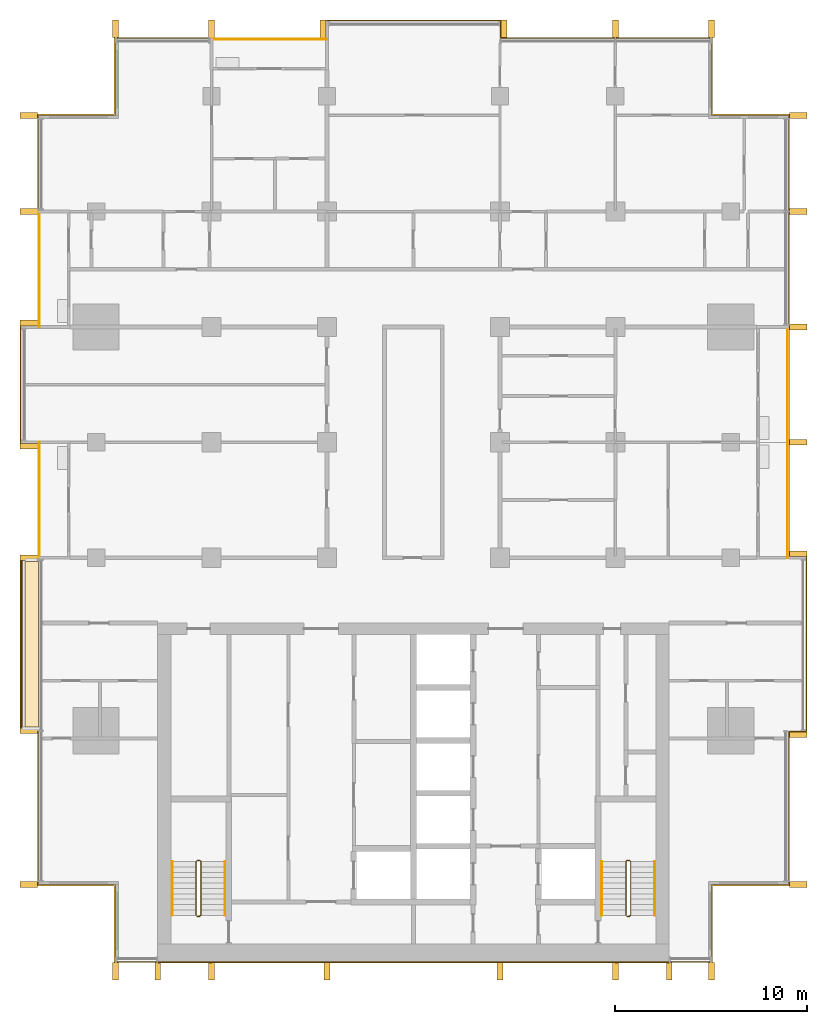
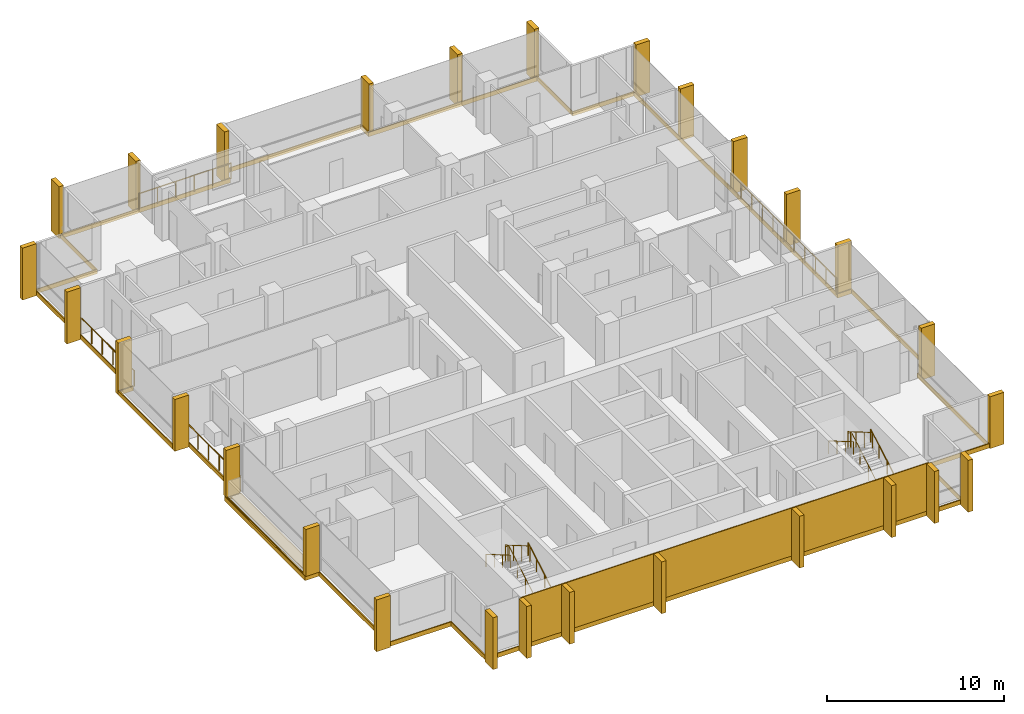
# One storey, part 17 of 17: 28 shading devices, 11 railings, 8 coverings.
"""IFC4 building model written with IfcOpenShell, lengths in metres."""

from ifc_helpers import new_model, si_unit, direction, frame, origin, origin_2d, place, context, subcontext, project, spatial, polyline, rectangle, circle, outline, extrude, material, layer, layer_set, type_object, element, save


model = new_model("IFC4")

# Units and contexts
model_context = context("Model", 3, precision=1e-05, world=origin(), true_north=direction((0.0, 1.0)))
body_context = subcontext(model_context, "Body", "Model", "MODEL_VIEW")
ifc_project = project(units=[si_unit("LENGTHUNIT", "METRE"), si_unit("AREAUNIT", "SQUARE_METRE"), si_unit("VOLUMEUNIT", "CUBIC_METRE"), si_unit("PLANEANGLEUNIT", "RADIAN"), si_unit("MASSUNIT", "GRAM", prefix="KILO")], contexts=[model_context])

# Site, building, storey
site_placement = place(None, origin())
site = spatial("IfcSite", under=ifc_project, at=site_placement, CompositionType="ELEMENT")
building_placement = place(site_placement, origin())
building = spatial("IfcBuilding", under=site, at=building_placement, Name="Finial Court Residences", CompositionType="ELEMENT")
storey_placement = place(building_placement, frame((0.0, 0.0, 152.89990234375)))
storey = spatial("IfcBuildingStorey", under=building, at=storey_placement, Name="L37", CompositionType="ELEMENT", Elevation=152.89990234375)

# Railings
ifc_material_1 = material(Name="Bronze anodised aluminium", Category="aluminium")
railing_type_1 = type_object("IfcRailingType", Name="Balcony guard 1100", PredefinedType="GUARDRAIL", material=ifc_material_1)
railing_1_placement = place(storey_placement, frame((-10.5, 22.449951171875, 0.0)))
element("IfcRailing", 1, at=railing_1_placement, inside=storey, type_object=railing_type_1, Name="E-L37-BALN2-R", PredefinedType="GUARDRAIL", context=body_context, shape_type="SweptSolid", body=[
    extrude(circle(Radius=0.02392578125, at=origin_2d()), frame((0.0, 0.0, 1.076171875), z_axis=(1.0, 0.0, 0.0), x_axis=(0.0, 1.0, 0.0)), (0.0, 0.0, 1.0), 6.0),
    extrude(circle(Radius=0.02099609375, at=origin_2d()), origin(), (0.0, 0.0, 1.0), 1.052001953125),
    extrude(circle(Radius=0.02099609375, at=origin_2d()), frame((1.199951171875, 0.0, 0.0)), (0.0, 0.0, 1.0), 1.052001953125),
    extrude(circle(Radius=0.02099609375, at=origin_2d()), frame((2.39990234375, 0.0, 0.0)), (0.0, 0.0, 1.0), 1.052001953125),
    extrude(circle(Radius=0.02099609375, at=origin_2d()), frame((3.60009765625, 0.0, 0.0)), (0.0, 0.0, 1.0), 1.052001953125),
    extrude(circle(Radius=0.02099609375, at=origin_2d()), frame((4.800048828125, 0.0, 0.0)), (0.0, 0.0, 1.0), 1.052001953125),
    extrude(circle(Radius=0.02099609375, at=origin_2d()), frame((6.0, 0.0, 0.0)), (0.0, 0.0, 1.0), 1.052001953125),
])
for number, where, name in (
    (2, (19.449951171875, -4.5, 0.0), "E-L37-BALE3-R"),
    (3, (19.449951171875, 1.5, 0.0), "E-L37-BALE4-R"),
    (4, (-19.449951171875, -4.5, 0.0), "E-L37-BALW3-R"),
    (5, (-19.449951171875, 7.5, 0.0), "E-L37-BALW5-R"),
):
    element("IfcRailing", number, at=place(storey_placement, frame(where)), inside=storey, type_object=railing_type_1, Name=name, PredefinedType="GUARDRAIL", context=body_context, shape_type="SweptSolid", body=[
        extrude(circle(Radius=0.02392578125, at=origin_2d()), frame((0.0, 0.0, 1.076171875), z_axis=(0.0, 1.0, 0.0), x_axis=(-1.0, 0.0, 0.0)), (0.0, 0.0, 1.0), 6.0),
        extrude(circle(Radius=0.02099609375, at=origin_2d()), origin(), (0.0, 0.0, 1.0), 1.052001953125),
        extrude(circle(Radius=0.02099609375, at=origin_2d()), frame((0.0, 1.199951171875, 0.0)), (0.0, 0.0, 1.0), 1.052001953125),
        extrude(circle(Radius=0.02099609375, at=origin_2d()), frame((0.0, 2.39990234375, 0.0)), (0.0, 0.0, 1.0), 1.052001953125),
        extrude(circle(Radius=0.02099609375, at=origin_2d()), frame((0.0, 3.60009765625, 0.0)), (0.0, 0.0, 1.0), 1.052001953125),
        extrude(circle(Radius=0.02099609375, at=origin_2d()), frame((0.0, 4.800048828125, 0.0)), (0.0, 0.0, 1.0), 1.052001953125),
        extrude(circle(Radius=0.02099609375, at=origin_2d()), frame((0.0, 6.0, 0.0)), (0.0, 0.0, 1.0), 1.052001953125),
    ])

# Coverings
ifc_material_2 = material(Name="Natural limestone", Category="masonry")
ifc_layer_1 = layer(ifc_material_2, 0.06005859375)
ifc_layer_set_1 = layer_set([ifc_layer_1], Name="Limestone cladding to the blind core face 60")
covering_type_1 = type_object("IfcCoveringType", Name="Limestone cladding to the blind core face 60", PredefinedType="CLADDING", material=ifc_layer_set_1)
covering_1_placement = place(storey_placement, origin())
element("IfcCovering", 6, at=covering_1_placement, inside=storey, type_object=covering_type_1, Name="E-L37-CLAD1", PredefinedType="CLADDING", context=body_context, shape_type="SweptSolid", body=[
    extrude(outline(polyline([(-10.5, -25.56005859375), (-10.5, -25.5), (-13.300048828125, -25.5), (-13.300048828125, -25.56005859375), (-10.5, -25.56005859375)])), origin(), (0.0, 0.0, 1.0), 3.300048828125),
])
covering_2_placement = place(storey_placement, origin())
element("IfcCovering", 7, at=covering_2_placement, inside=storey, type_object=covering_type_1, Name="E-L37-CLAD2", PredefinedType="CLADDING", context=body_context, shape_type="SweptSolid", body=[
    extrude(outline(polyline([(-4.5, -25.56005859375), (-4.5, -25.5), (-10.5, -25.5), (-10.5, -25.56005859375), (-4.5, -25.56005859375)])), origin(), (0.0, 0.0, 1.0), 3.300048828125),
])
covering_3_placement = place(storey_placement, origin())
element("IfcCovering", 8, at=covering_3_placement, inside=storey, type_object=covering_type_1, Name="E-L37-CLAD3", PredefinedType="CLADDING", context=body_context, shape_type="SweptSolid", body=[
    extrude(outline(polyline([(4.5, -25.56005859375), (4.5, -25.5), (-4.5, -25.5), (-4.5, -25.56005859375), (4.5, -25.56005859375)])), origin(), (0.0, 0.0, 1.0), 3.300048828125),
])
covering_4_placement = place(storey_placement, origin())
element("IfcCovering", 9, at=covering_4_placement, inside=storey, type_object=covering_type_1, Name="E-L37-CLAD4", PredefinedType="CLADDING", context=body_context, shape_type="SweptSolid", body=[
    extrude(outline(polyline([(10.5, -25.56005859375), (10.5, -25.5), (4.5, -25.5), (4.5, -25.56005859375), (10.5, -25.56005859375)])), origin(), (0.0, 0.0, 1.0), 3.300048828125),
])
covering_5_placement = place(storey_placement, origin())
element("IfcCovering", 10, at=covering_5_placement, inside=storey, type_object=covering_type_1, Name="E-L37-CLAD5", PredefinedType="CLADDING", context=body_context, shape_type="SweptSolid", body=[
    extrude(outline(polyline([(13.300048828125, -25.56005859375), (13.300048828125, -25.5), (10.5, -25.5), (10.5, -25.56005859375), (13.300048828125, -25.56005859375)])), origin(), (0.0, 0.0, 1.0), 3.300048828125),
])

# Shading devices
shading_device_type = type_object("IfcShadingDeviceType", Name="Limestone fin 300 x 900", PredefinedType="USERDEFINED", material=ifc_material_2)
for number, where, z_axis, x_axis, name in (
    (11, (-15.5, 23.010009765625, -0.300048828125), (0.0, 0.0, 1.0), (1.0, 0.0, 0.0), "E-L37-FIN-N1"),
    (12, (-10.5, 23.010009765625, -0.300048828125), (0.0, 0.0, 1.0), (1.0, 0.0, 0.0), "E-L37-FIN-N2"),
    (13, (-4.7099609375, 23.010009765625, -0.300048828125), (0.0, 0.0, 1.0), (1.0, 0.0, 0.0), "E-L37-FIN-N3"),
    (14, (4.7099609375, 23.010009765625, -0.300048828125), (0.0, 0.0, 1.0), (1.0, 0.0, 0.0), "E-L37-FIN-N4"),
    (15, (10.5, 23.010009765625, -0.300048828125), (0.0, 0.0, 1.0), (1.0, 0.0, 0.0), "E-L37-FIN-N5"),
    (16, (15.5, 23.010009765625, -0.300048828125), (0.0, 0.0, 1.0), (1.0, 0.0, 0.0), "E-L37-FIN-N6"),
):
    element("IfcShadingDevice", number, at=place(storey_placement, frame(where, z_axis=z_axis, x_axis=x_axis)), inside=storey, type_object=shading_device_type, Name=name, ObjectType="FIN", PredefinedType="USERDEFINED", context=body_context, shape_type="SweptSolid", body=[
        extrude(rectangle(XDim=0.300048828125, YDim=0.89990234375, at=origin_2d()), origin(), (0.0, 0.0, 1.0), 3.580078125),
    ])
for number, where, z_axis, x_axis, name in (
    (17, (20.010009765625, -21.5, -0.300048828125), (0.0, 0.0, 1.0), (1.0, 0.0, 0.0), "E-L37-FIN-E7"),
    (18, (20.010009765625, -13.7099609375, -0.300048828125), (0.0, 0.0, 1.0), (1.0, 0.0, 0.0), "E-L37-FIN-E8"),
    (19, (20.010009765625, -4.2900390625, -0.300048828125), (0.0, 0.0, 1.0), (1.0, 0.0, 0.0), "E-L37-FIN-E9"),
    (20, (20.010009765625, 1.5, -0.300048828125), (0.0, 0.0, 1.0), (1.0, 0.0, 0.0), "E-L37-FIN-E10"),
    (21, (20.010009765625, 7.5, -0.300048828125), (0.0, 0.0, 1.0), (1.0, 0.0, 0.0), "E-L37-FIN-E11"),
    (22, (20.010009765625, 13.5, -0.300048828125), (0.0, 0.0, 1.0), (1.0, 0.0, 0.0), "E-L37-FIN-E12"),
    (23, (20.010009765625, 18.5, -0.300048828125), (0.0, 0.0, 1.0), (1.0, 0.0, 0.0), "E-L37-FIN-E13"),
):
    element("IfcShadingDevice", number, at=place(storey_placement, frame(where, z_axis=z_axis, x_axis=x_axis)), inside=storey, type_object=shading_device_type, Name=name, ObjectType="FIN", PredefinedType="USERDEFINED", context=body_context, shape_type="SweptSolid", body=[
        extrude(rectangle(XDim=0.89990234375, YDim=0.300048828125, at=origin_2d()), origin(), (0.0, 0.0, 1.0), 3.580078125),
    ])
for number, where, z_axis, x_axis, name in (
    (24, (-15.5, -26.010009765625, -0.300048828125), (0.0, 0.0, 1.0), (1.0, 0.0, 0.0), "E-L37-FIN-S14"),
    (25, (-13.300048828125, -26.010009765625, -0.300048828125), (0.0, 0.0, 1.0), (1.0, 0.0, 0.0), "E-L37-FIN-S15"),
    (26, (-10.5, -26.010009765625, -0.300048828125), (0.0, 0.0, 1.0), (1.0, 0.0, 0.0), "E-L37-FIN-S16"),
    (27, (-4.5, -26.010009765625, -0.300048828125), (0.0, 0.0, 1.0), (1.0, 0.0, 0.0), "E-L37-FIN-S17"),
    (28, (4.5, -26.010009765625, -0.300048828125), (0.0, 0.0, 1.0), (1.0, 0.0, 0.0), "E-L37-FIN-S18"),
    (29, (10.5, -26.010009765625, -0.300048828125), (0.0, 0.0, 1.0), (1.0, 0.0, 0.0), "E-L37-FIN-S19"),
    (30, (13.300048828125, -26.010009765625, -0.300048828125), (0.0, 0.0, 1.0), (1.0, 0.0, 0.0), "E-L37-FIN-S20"),
    (31, (15.5, -26.010009765625, -0.300048828125), (0.0, 0.0, 1.0), (1.0, 0.0, 0.0), "E-L37-FIN-S21"),
):
    element("IfcShadingDevice", number, at=place(storey_placement, frame(where, z_axis=z_axis, x_axis=x_axis)), inside=storey, type_object=shading_device_type, Name=name, ObjectType="FIN", PredefinedType="USERDEFINED", context=body_context, shape_type="SweptSolid", body=[
        extrude(rectangle(XDim=0.300048828125, YDim=0.89990234375, at=origin_2d()), origin(), (0.0, 0.0, 1.0), 3.580078125),
    ])
shading_device_placement = place(storey_placement, frame((-20.010009765625, -21.5, -0.300048828125), z_axis=(0.0, 0.0, 1.0), x_axis=(1.0, 0.0, 0.0)))
element("IfcShadingDevice", 32, at=shading_device_placement, inside=storey, type_object=shading_device_type, Name="E-L37-FIN-W22", ObjectType="FIN", PredefinedType="USERDEFINED", context=body_context, shape_type="SweptSolid", body=[
    extrude(rectangle(XDim=0.89990234375, YDim=0.300048828125, at=origin_2d()), origin(), (0.0, 0.0, 1.0), 3.580078125),
])
for number, where, z_axis, x_axis, name in (
    (33, (-20.010009765625, -13.5, 0.0400390625), (0.0, 0.0, 1.0), (1.0, 0.0, 0.0), "E-L37-FIN-W23"),
    (34, (-20.010009765625, -4.5, 0.0400390625), (0.0, 0.0, 1.0), (1.0, 0.0, 0.0), "E-L37-FIN-W24"),
):
    element("IfcShadingDevice", number, at=place(storey_placement, frame(where, z_axis=z_axis, x_axis=x_axis)), inside=storey, type_object=shading_device_type, Name=name, ObjectType="FIN", PredefinedType="USERDEFINED", context=body_context, shape_type="SweptSolid", body=[
        extrude(rectangle(XDim=0.89990234375, YDim=0.300048828125, at=origin_2d()), origin(), (0.0, 0.0, 1.0), 3.239990234375),
    ])
for number, where, z_axis, x_axis, name in (
    (35, (-20.010009765625, 1.2900390625, -0.300048828125), (0.0, 0.0, 1.0), (1.0, 0.0, 0.0), "E-L37-FIN-W25"),
    (36, (-20.010009765625, 7.7099609375, -0.300048828125), (0.0, 0.0, 1.0), (1.0, 0.0, 0.0), "E-L37-FIN-W26"),
    (37, (-20.010009765625, 13.5, -0.300048828125), (0.0, 0.0, 1.0), (1.0, 0.0, 0.0), "E-L37-FIN-W27"),
    (38, (-20.010009765625, 18.5, -0.300048828125), (0.0, 0.0, 1.0), (1.0, 0.0, 0.0), "E-L37-FIN-W28"),
):
    element("IfcShadingDevice", number, at=place(storey_placement, frame(where, z_axis=z_axis, x_axis=x_axis)), inside=storey, type_object=shading_device_type, Name=name, ObjectType="FIN", PredefinedType="USERDEFINED", context=body_context, shape_type="SweptSolid", body=[
        extrude(rectangle(XDim=0.89990234375, YDim=0.300048828125, at=origin_2d()), origin(), (0.0, 0.0, 1.0), 3.580078125),
    ])

# Coverings
ifc_material_3 = material(Name="Pale limestone", Category="masonry")
ifc_layer_2 = layer(ifc_material_3, 0.06005859375)
ifc_layer_set_2 = layer_set([ifc_layer_2], Name="Pale limestone slab-edge band 60")
covering_type_2 = type_object("IfcCoveringType", Name="Pale limestone slab-edge band 60", PredefinedType="CLADDING", material=ifc_layer_set_2)
covering_6_placement = place(storey_placement, frame((0.0, 0.0, -0.2998046875)))
element("IfcCovering", 39, at=covering_6_placement, inside=storey, type_object=covering_type_2, Name="E-L37-BAND1", PredefinedType="CLADDING", context=body_context, shape_type="SweptSolid", body=[
    extrude(outline(polyline([(-20.4599609375, -4.43994140625), (-19.56005859375, -4.43994140625), (-19.56005859375, 1.43994140625), (-20.4599609375, 1.43994140625), (-20.4599609375, 7.56005859375), (-19.56005859375, 7.56005859375), (-19.56005859375, 18.56005859375), (-15.56005859375, 18.56005859375), (-15.56005859375, 22.56005859375), (-4.56005859375, 22.56005859375), (-4.56005859375, 23.4599609375), (4.56005859375, 23.4599609375), (4.56005859375, 22.56005859375), (15.56005859375, 22.56005859375), (15.56005859375, 18.56005859375), (19.56005859375, 18.56005859375), (19.56005859375, -4.43994140625), (20.4599609375, -4.43994140625), (20.4599609375, -13.56005859375), (19.56005859375, -13.56005859375), (19.56005859375, -21.56005859375), (15.56005859375, -21.56005859375), (15.56005859375, -25.56005859375), (-15.56005859375, -25.56005859375), (-15.56005859375, -21.56005859375), (-19.56005859375, -21.56005859375), (-19.56005859375, -13.56005859375), (-20.4599609375, -13.56005859375), (-20.4599609375, -4.43994140625)]), holes=[polyline([(-19.5, -13.5), (-19.5, -21.5), (-15.5, -21.5), (-15.5, -25.5), (15.5, -25.5), (15.5, -21.5), (19.5, -21.5), (19.5, -13.5), (20.39990234375, -13.5), (20.39990234375, -4.5), (19.5, -4.5), (19.5, 1.5), (19.5, 7.5), (19.5, 18.5), (15.5, 18.5), (15.5, 22.5), (4.5, 22.5), (4.5, 23.39990234375), (-4.5, 23.39990234375), (-4.5, 22.5), (-10.5, 22.5), (-15.5, 22.5), (-15.5, 18.5), (-19.5, 18.5), (-19.5, 13.5), (-19.5, 7.5), (-20.39990234375, 7.5), (-20.39990234375, 1.5), (-19.5, 1.5), (-19.5, -4.5), (-20.39990234375, -4.5), (-20.39990234375, -13.5), (-19.5, -13.5)])]), origin(), (0.0, 0.0, 1.0), 0.2998046875),
])
ifc_material_4 = material(Name="Bitumen membrane")
ifc_layer_3 = layer(ifc_material_4, 0.0400390625)
ifc_layer_set_3 = layer_set([ifc_layer_3], Name="Push box roofing, bitumen membrane 40")
covering_type_3 = type_object("IfcCoveringType", Name="Push box roofing, bitumen membrane 40", PredefinedType="ROOFING", material=ifc_layer_set_3)
covering_7_placement = place(storey_placement, origin())
element("IfcCovering", 40, at=covering_7_placement, inside=storey, type_object=covering_type_3, Name="E-L37-LED1", PredefinedType="ROOFING", context=body_context, shape_type="SweptSolid", body=[
    extrude(outline(polyline([(-19.5, -4.550048828125), (-20.199951171875, -4.550048828125), (-20.35009765625, -4.550048828125), (-20.35009765625, -13.300048828125), (-20.35009765625, -13.300048828125), (-20.35009765625, -13.449951171875), (-19.5, -13.449951171875), (-19.5, -13.5), (-20.39990234375, -13.5), (-20.39990234375, -4.5), (-19.5, -4.5), (-19.5, -4.550048828125)])), origin(), (0.0, 0.0, 1.0), 0.0400390625),
])
covering_8_placement = place(storey_placement, origin())
element("IfcCovering", 41, at=covering_8_placement, inside=storey, type_object=covering_type_3, Name="E-L37-LED1b", PredefinedType="ROOFING", context=body_context, shape_type="SweptSolid", body=[
    extrude(outline(polyline([(-19.5, -13.300048828125), (-20.199951171875, -13.300048828125), (-20.199951171875, -4.699951171875), (-19.5, -4.699951171875), (-19.5, -13.300048828125)])), origin(), (0.0, 0.0, 1.0), 0.0400390625),
])

# Railings
ifc_material_5 = material(Name="Stainless steel railing", Category="steel")
railing_type_2 = type_object("IfcRailingType", Name="Stair guard 1100", PredefinedType="GUARDRAIL", material=ifc_material_5)
railing_2_placement = place(storey_placement, frame((-11.10009765625, -23.14990234375, 0.0)))
element("IfcRailing", 42, at=railing_2_placement, inside=storey, type_object=railing_type_2, Name="L37 ST-1 stair guard 1", PredefinedType="GUARDRAIL", context=body_context, shape_type="SweptSolid", body=[
    extrude(circle(Radius=0.02392578125, at=origin_2d()), frame((0.0, 0.0, 1.076171875), z_axis=(-1.0, 0.0, 0.0), x_axis=(0.0, -1.0, 0.0)), (0.0, 0.0, 1.0), 0.14990234375),
    extrude(circle(Radius=0.02392578125, at=origin_2d()), frame((-0.14990234375, 0.0, 1.076171875), z_axis=(0.759565762229, 0.189195867515, 0.622306015208), x_axis=(-0.241699205484, 0.970351222016, 0.0)), (0.0, 0.0, 1.0), 0.26318359375),
    extrude(circle(Radius=0.02392578125, at=origin_2d()), frame((0.050048828125, 0.0498046875, 1.23974609375), z_axis=(0.0, 0.863393664356, 0.504530851732), x_axis=(-1.0, 0.0, 0.0)), (0.0, 0.0, 1.0), 3.2431640625),
    extrude(circle(Radius=0.02392578125, at=origin_2d()), frame((0.050048828125, 2.849853515625, 2.8759765625), z_axis=(-0.707106781187, 0.707106781187, 0.0), x_axis=(-0.707106781187, -0.707106781187, 0.0)), (0.0, 0.0, 1.0), 0.07080078125),
    extrude(circle(Radius=0.02392578125, at=origin_2d()), frame((0.0, 2.89990234375, 2.8759765625), z_axis=(-1.0, 0.0, 0.0), x_axis=(0.0, -1.0, 0.0)), (0.0, 0.0, 1.0), 0.14990234375),
    extrude(circle(Radius=0.02392578125, at=origin_2d()), frame((-0.14990234375, 2.89990234375, 2.8759765625), z_axis=(-0.280808744504, -0.280808744504, 0.917765164963), x_axis=(0.707106781187, -0.707106781187, 0.0)), (0.0, 0.0, 1.0), 0.17822265625),
    extrude(circle(Radius=0.02392578125, at=origin_2d()), frame((-0.199951171875, 2.849853515625, 3.03955078125), z_axis=(0.0, -0.863360870873, 0.504586966384), x_axis=(1.0, 0.0, 0.0)), (0.0, 0.0, 1.0), 3.2431640625),
    extrude(circle(Radius=0.02099609375, at=origin_2d()), origin(), (0.0, 0.0, 1.0), 1.052001953125),
    extrude(circle(Radius=0.02099609375, at=origin_2d()), frame((-0.14990234375, 0.0, 0.0)), (0.0, 0.0, 1.0), 1.052001953125),
    extrude(circle(Radius=0.02099609375, at=origin_2d()), frame((0.050048828125, 0.0498046875, 0.163818359375)), (0.0, 0.0, 1.0), 1.052001953125),
    extrude(circle(Radius=0.02099609375, at=origin_2d()), frame((0.050048828125, 0.983154296875, 0.709228515625)), (0.0, 0.0, 1.0), 1.052001953125),
    extrude(circle(Radius=0.02099609375, at=origin_2d()), frame((0.050048828125, 1.91650390625, 1.254638671875)), (0.0, 0.0, 1.0), 1.052001953125),
    extrude(circle(Radius=0.02099609375, at=origin_2d()), frame((0.050048828125, 2.849853515625, 1.800048828125)), (0.0, 0.0, 1.0), 1.052001953125),
    extrude(circle(Radius=0.02099609375, at=origin_2d()), frame((0.0, 2.89990234375, 1.800048828125)), (0.0, 0.0, 1.0), 1.052001953125),
    extrude(circle(Radius=0.02099609375, at=origin_2d()), frame((-0.14990234375, 2.89990234375, 1.800048828125)), (0.0, 0.0, 1.0), 1.052001953125),
    extrude(circle(Radius=0.02099609375, at=origin_2d()), frame((-0.199951171875, 2.849853515625, 1.963623046875)), (0.0, 0.0, 1.0), 1.052001953125),
    extrude(circle(Radius=0.02099609375, at=origin_2d()), frame((-0.199951171875, 1.91650390625, 2.509033203125)), (0.0, 0.0, 1.0), 1.052001953125),
    extrude(circle(Radius=0.02099609375, at=origin_2d()), frame((-0.199951171875, 0.983154296875, 3.0546875)), (0.0, 0.0, 1.0), 1.052001953125),
    extrude(circle(Radius=0.02099609375, at=origin_2d()), frame((-0.199951171875, 0.0498046875, 3.60009765625)), (0.0, 0.0, 1.0), 1.052001953125),
])
railing_3_placement = place(storey_placement, frame((11.25, -23.14990234375, 0.0)))
element("IfcRailing", 43, at=railing_3_placement, inside=storey, type_object=railing_type_2, Name="L37 ST-2 stair guard 1", PredefinedType="GUARDRAIL", context=body_context, shape_type="SweptSolid", body=[
    extrude(circle(Radius=0.02392578125, at=origin_2d()), frame((0.0, 0.0, 1.076171875), z_axis=(-1.0, 0.0, 0.0), x_axis=(0.0, -1.0, 0.0)), (0.0, 0.0, 1.0), 0.14990234375),
    extrude(circle(Radius=0.02392578125, at=origin_2d()), frame((-0.14990234375, 0.0, 1.076171875), z_axis=(0.759565762229, 0.189195867515, 0.622306015208), x_axis=(-0.241699205484, 0.970351222016, 0.0)), (0.0, 0.0, 1.0), 0.26318359375),
    extrude(circle(Radius=0.02392578125, at=origin_2d()), frame((0.050048828125, 0.0498046875, 1.23974609375), z_axis=(0.0, 0.863393664356, 0.504530851732), x_axis=(-1.0, 0.0, 0.0)), (0.0, 0.0, 1.0), 3.2431640625),
    extrude(circle(Radius=0.02392578125, at=origin_2d()), frame((0.050048828125, 2.849853515625, 2.8759765625), z_axis=(-0.707106781187, 0.707106781187, 0.0), x_axis=(-0.707106781187, -0.707106781187, 0.0)), (0.0, 0.0, 1.0), 0.07080078125),
    extrude(circle(Radius=0.02392578125, at=origin_2d()), frame((0.0, 2.89990234375, 2.8759765625), z_axis=(-1.0, 0.0, 0.0), x_axis=(0.0, -1.0, 0.0)), (0.0, 0.0, 1.0), 0.14990234375),
    extrude(circle(Radius=0.02392578125, at=origin_2d()), frame((-0.14990234375, 2.89990234375, 2.8759765625), z_axis=(-0.280808744504, -0.280808744504, 0.917765164963), x_axis=(0.707106781187, -0.707106781187, 0.0)), (0.0, 0.0, 1.0), 0.17822265625),
    extrude(circle(Radius=0.02392578125, at=origin_2d()), frame((-0.199951171875, 2.849853515625, 3.03955078125), z_axis=(0.0, -0.863360870873, 0.504586966384), x_axis=(1.0, 0.0, 0.0)), (0.0, 0.0, 1.0), 3.2431640625),
    extrude(circle(Radius=0.02099609375, at=origin_2d()), origin(), (0.0, 0.0, 1.0), 1.052001953125),
    extrude(circle(Radius=0.02099609375, at=origin_2d()), frame((-0.14990234375, 0.0, 0.0)), (0.0, 0.0, 1.0), 1.052001953125),
    extrude(circle(Radius=0.02099609375, at=origin_2d()), frame((0.050048828125, 0.0498046875, 0.163818359375)), (0.0, 0.0, 1.0), 1.052001953125),
    extrude(circle(Radius=0.02099609375, at=origin_2d()), frame((0.050048828125, 0.983154296875, 0.709228515625)), (0.0, 0.0, 1.0), 1.052001953125),
    extrude(circle(Radius=0.02099609375, at=origin_2d()), frame((0.050048828125, 1.91650390625, 1.254638671875)), (0.0, 0.0, 1.0), 1.052001953125),
    extrude(circle(Radius=0.02099609375, at=origin_2d()), frame((0.050048828125, 2.849853515625, 1.800048828125)), (0.0, 0.0, 1.0), 1.052001953125),
    extrude(circle(Radius=0.02099609375, at=origin_2d()), frame((0.0, 2.89990234375, 1.800048828125)), (0.0, 0.0, 1.0), 1.052001953125),
    extrude(circle(Radius=0.02099609375, at=origin_2d()), frame((-0.14990234375, 2.89990234375, 1.800048828125)), (0.0, 0.0, 1.0), 1.052001953125),
    extrude(circle(Radius=0.02099609375, at=origin_2d()), frame((-0.199951171875, 2.849853515625, 1.963623046875)), (0.0, 0.0, 1.0), 1.052001953125),
    extrude(circle(Radius=0.02099609375, at=origin_2d()), frame((-0.199951171875, 1.91650390625, 2.509033203125)), (0.0, 0.0, 1.0), 1.052001953125),
    extrude(circle(Radius=0.02099609375, at=origin_2d()), frame((-0.199951171875, 0.983154296875, 3.0546875)), (0.0, 0.0, 1.0), 1.052001953125),
    extrude(circle(Radius=0.02099609375, at=origin_2d()), frame((-0.199951171875, 0.0498046875, 3.60009765625)), (0.0, 0.0, 1.0), 1.052001953125),
])
railing_type_3 = type_object("IfcRailingType", Name="Stair handrail 900", PredefinedType="HANDRAIL", material=ifc_material_5)
railing_4_placement = place(storey_placement, frame((-9.800048828125, -23.10009765625, 0.163818359375)))
element("IfcRailing", 44, at=railing_4_placement, inside=storey, type_object=railing_type_3, Name="L37 ST-1 stair handrail 1", PredefinedType="HANDRAIL", context=body_context, shape_type="SweptSolid", body=[
    extrude(circle(Radius=0.02392578125, at=origin_2d()), frame((0.0, 0.0, 0.8759765625), z_axis=(0.0, 0.863393664356, 0.504530851732), x_axis=(-1.0, 0.0, 0.0)), (0.0, 0.0, 1.0), 3.2431640625),
    extrude(circle(Radius=0.02099609375, at=origin_2d()), origin(), (0.0, 0.0, 1.0), 0.851806640625),
    extrude(circle(Radius=0.02099609375, at=origin_2d()), frame((0.0, 0.933349609375, 0.54541015625)), (0.0, 0.0, 1.0), 0.851806640625),
    extrude(circle(Radius=0.02099609375, at=origin_2d()), frame((0.0, 1.86669921875, 1.0908203125)), (0.0, 0.0, 1.0), 0.851806640625),
    extrude(circle(Radius=0.02099609375, at=origin_2d()), frame((0.0, 2.800048828125, 1.63623046875)), (0.0, 0.0, 1.0), 0.851806640625),
])
railing_5_placement = place(storey_placement, frame((-12.550048828125, -20.300048828125, 1.963623046875)))
element("IfcRailing", 45, at=railing_5_placement, inside=storey, type_object=railing_type_3, Name="L37 ST-1 stair handrail 2", PredefinedType="HANDRAIL", context=body_context, shape_type="SweptSolid", body=[
    extrude(circle(Radius=0.02392578125, at=origin_2d()), frame((0.0, 0.0, 0.8759765625), z_axis=(0.0, -0.863360870873, 0.504586966384), x_axis=(1.0, 0.0, 0.0)), (0.0, 0.0, 1.0), 3.2431640625),
    extrude(circle(Radius=0.02099609375, at=origin_2d()), origin(), (0.0, 0.0, 1.0), 0.851806640625),
    extrude(circle(Radius=0.02099609375, at=origin_2d()), frame((0.0, -0.933349609375, 0.54541015625)), (0.0, 0.0, 1.0), 0.851806640625),
    extrude(circle(Radius=0.02099609375, at=origin_2d()), frame((0.0, -1.86669921875, 1.091064453125)), (0.0, 0.0, 1.0), 0.851806640625),
    extrude(circle(Radius=0.02099609375, at=origin_2d()), frame((0.0, -2.800048828125, 1.636474609375)), (0.0, 0.0, 1.0), 0.851806640625),
])
railing_6_placement = place(storey_placement, frame((12.550048828125, -23.10009765625, 0.163818359375)))
element("IfcRailing", 46, at=railing_6_placement, inside=storey, type_object=railing_type_3, Name="L37 ST-2 stair handrail 1", PredefinedType="HANDRAIL", context=body_context, shape_type="SweptSolid", body=[
    extrude(circle(Radius=0.02392578125, at=origin_2d()), frame((0.0, 0.0, 0.8759765625), z_axis=(0.0, 0.863393664356, 0.504530851732), x_axis=(-1.0, 0.0, 0.0)), (0.0, 0.0, 1.0), 3.2431640625),
    extrude(circle(Radius=0.02099609375, at=origin_2d()), origin(), (0.0, 0.0, 1.0), 0.851806640625),
    extrude(circle(Radius=0.02099609375, at=origin_2d()), frame((0.0, 0.933349609375, 0.54541015625)), (0.0, 0.0, 1.0), 0.851806640625),
    extrude(circle(Radius=0.02099609375, at=origin_2d()), frame((0.0, 1.86669921875, 1.0908203125)), (0.0, 0.0, 1.0), 0.851806640625),
    extrude(circle(Radius=0.02099609375, at=origin_2d()), frame((0.0, 2.800048828125, 1.63623046875)), (0.0, 0.0, 1.0), 0.851806640625),
])
railing_7_placement = place(storey_placement, frame((9.800048828125, -20.300048828125, 1.963623046875)))
element("IfcRailing", 47, at=railing_7_placement, inside=storey, type_object=railing_type_3, Name="L37 ST-2 stair handrail 2", PredefinedType="HANDRAIL", context=body_context, shape_type="SweptSolid", body=[
    extrude(circle(Radius=0.02392578125, at=origin_2d()), frame((0.0, 0.0, 0.8759765625), z_axis=(0.0, -0.863360870873, 0.504586966384), x_axis=(1.0, 0.0, 0.0)), (0.0, 0.0, 1.0), 3.2431640625),
    extrude(circle(Radius=0.02099609375, at=origin_2d()), origin(), (0.0, 0.0, 1.0), 0.851806640625),
    extrude(circle(Radius=0.02099609375, at=origin_2d()), frame((0.0, -0.933349609375, 0.54541015625)), (0.0, 0.0, 1.0), 0.851806640625),
    extrude(circle(Radius=0.02099609375, at=origin_2d()), frame((0.0, -1.86669921875, 1.091064453125)), (0.0, 0.0, 1.0), 0.851806640625),
    extrude(circle(Radius=0.02099609375, at=origin_2d()), frame((0.0, -2.800048828125, 1.636474609375)), (0.0, 0.0, 1.0), 0.851806640625),
])

save(model, "model.ifc")
